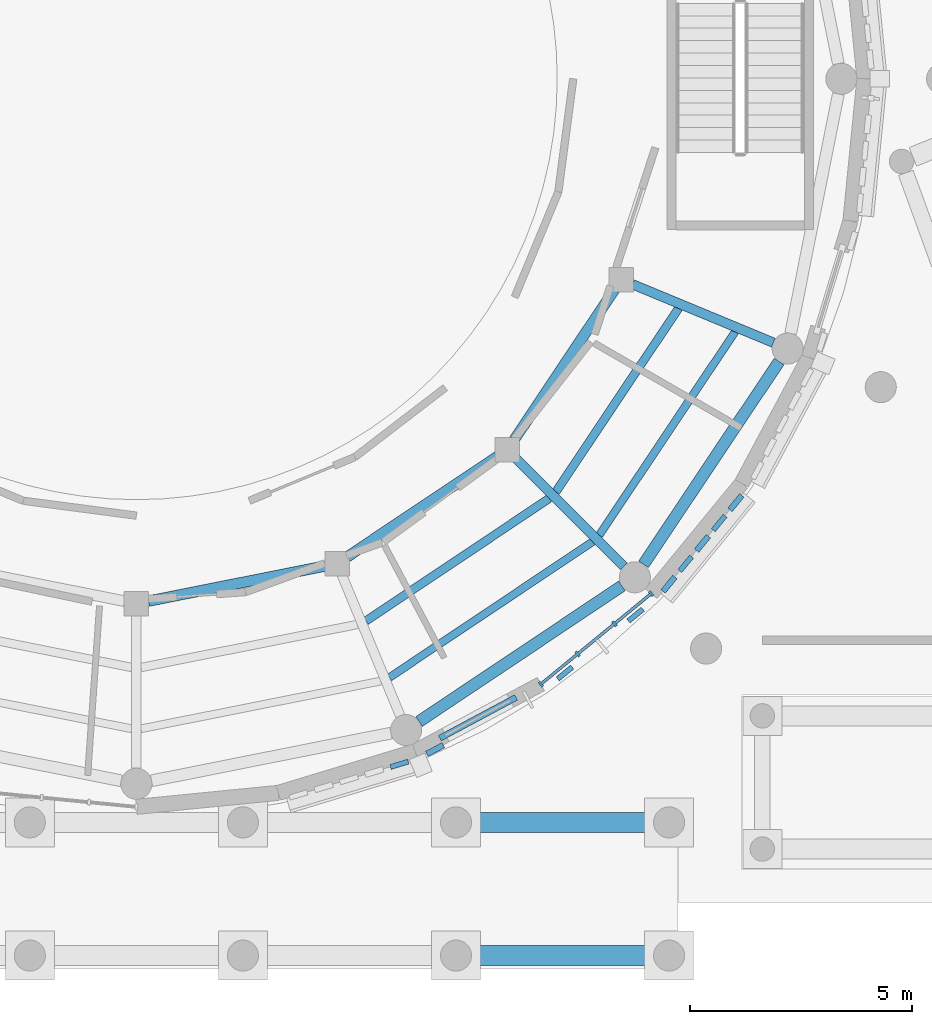
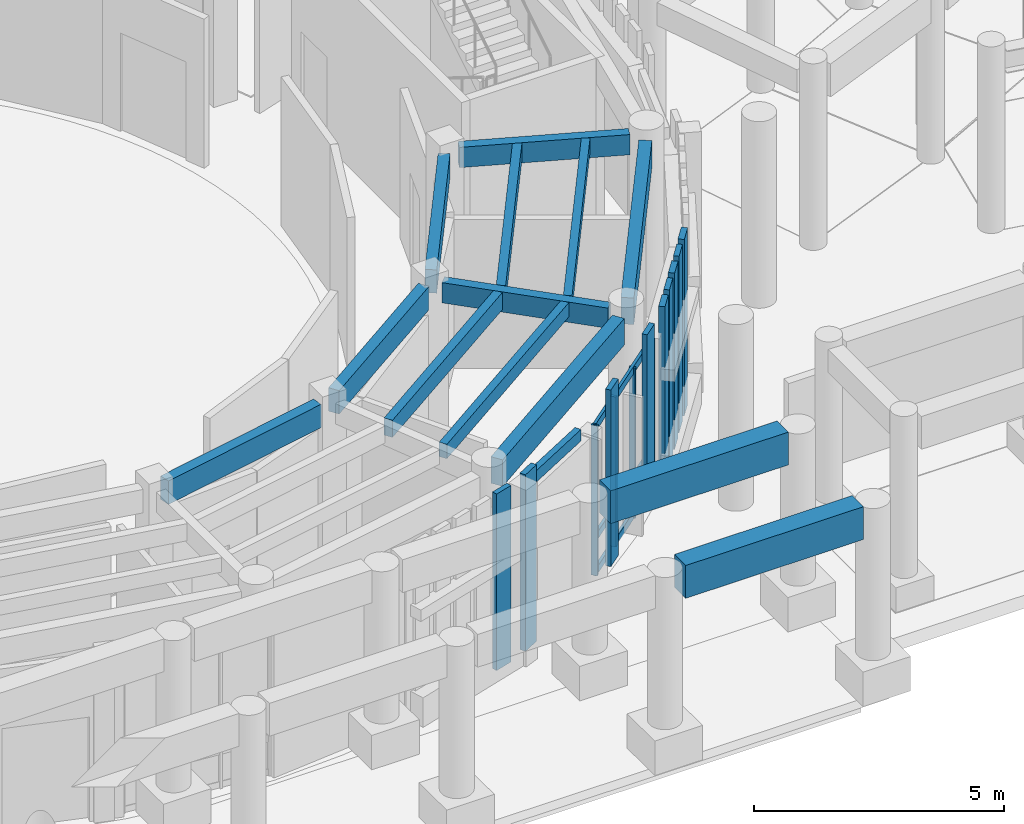
# One storey, part 14 of 94: 16 members, 14 beams, 1 element without a shape of its own.
"""IFC4 building model written with IfcOpenShell, lengths in metres."""

import ifcopenshell
import ifcopenshell.guid

model = None  # the IFC model being written
_history = None  # IfcOwnerHistory: only IFC2X3 demands one
_inside = {}  # id of a spatial element -> (the spatial element, [elements in it])
_under = {}  # id of a project, library or spatial element -> (it, [spatial elements below it])
_declared = {}  # id of a project -> (the project, [libraries it declares])
_typed = {}  # id of a type object -> (the type object, [elements of that type])
_made_of = {}  # id of a material, layer set ... -> (it, [elements and type objects made of it])


def new_model(schema):
    """Start an empty IFC model of exactly this schema.

    Asked for "IFC4X3", IfcOpenShell would pick the latest addendum, in which some entities
    have other attributes; the version numbers below select the first issue.
    IFC2X3 requires an IfcOwnerHistory on every rooted entity: one is made here for all.
    """
    global model, _history
    if schema == "IFC4X3":
        model = ifcopenshell.file(schema_version=(4, 3, 0, 0))
    else:
        model = ifcopenshell.file(schema=schema)
    _inside.clear()
    _under.clear()
    _declared.clear()
    _typed.clear()
    _made_of.clear()
    _history = None
    if model.schema == "IFC2X3":
        org = make("IfcOrganization", Name="unknown")
        user = make(
            "IfcPersonAndOrganization",
            ThePerson=make("IfcPerson", FamilyName="unknown"),
            TheOrganization=org,
        )
        app = make(
            "IfcApplication",
            ApplicationDeveloper=org,
            Version="unknown",
            ApplicationFullName="unknown",
            ApplicationIdentifier="unknown",
        )
        _history = make(
            "IfcOwnerHistory",
            OwningUser=user,
            OwningApplication=app,
            ChangeAction="ADDED",
            CreationDate=0,
        )
    return model


def make(cls, **values):
    """One entity of the class cls with the attributes given. An attribute that is None is left unset."""
    return model.create_entity(
        cls, **{name: value for name, value in values.items() if value is not None}
    )


def rooted(cls, **values):
    """An entity with a GlobalId (a new one), such as an element, a storey or a relation."""
    return make(cls, GlobalId=ifcopenshell.guid.new(), OwnerHistory=_history, **values)


def si_unit(unit_type, name, prefix=None):
    """IfcSIUnit, for example si_unit("LENGTHUNIT", "METRE", prefix="MILLI")."""
    return make("IfcSIUnit", UnitType=unit_type, Prefix=prefix, Name=name)


def assignment(units):
    """IfcUnitAssignment: the units of a project."""
    return None if units is None else make("IfcUnitAssignment", Units=units)


def point(xyz):
    """IfcCartesianPoint."""
    return None if xyz is None else make("IfcCartesianPoint", Coordinates=xyz)


def direction(xyz):
    """IfcDirection."""
    return None if xyz is None else make("IfcDirection", DirectionRatios=xyz)


def frame(location, z_axis=None, x_axis=None):
    """IfcAxis2Placement3D, a coordinate frame: its origin and axes. An axis left out is left unset."""
    return make(
        "IfcAxis2Placement3D",
        Location=point(location),
        Axis=direction(z_axis),
        RefDirection=direction(x_axis),
    )


def frame_2d(location, x_axis=None):
    """IfcAxis2Placement2D, a coordinate frame in the plane: its origin and x axis."""
    return make(
        "IfcAxis2Placement2D", Location=point(location), RefDirection=direction(x_axis)
    )


def origin():
    """The frame at (0, 0, 0) with its axes left unset."""
    return frame((0.0, 0.0, 0.0))


def origin_2d():
    """The frame at (0, 0) in the plane with its x axis left unset."""
    return frame_2d((0.0, 0.0))


def place(relative_to, where):
    """IfcLocalPlacement: puts the frame where relative to a parent placement (None: the world)."""
    return make(
        "IfcLocalPlacement", PlacementRelTo=relative_to, RelativePlacement=where
    )


def context(
    kind, dimensions, precision=None, world=None, true_north=None, identifier=None
):
    """IfcGeometricRepresentationContext, for example the 3D "Model" context."""
    return make(
        "IfcGeometricRepresentationContext",
        ContextIdentifier=identifier,
        ContextType=kind,
        CoordinateSpaceDimension=dimensions,
        Precision=precision,
        WorldCoordinateSystem=world,
        TrueNorth=true_north,
    )


def subcontext(parent, identifier, kind, view, scale=None):
    """IfcGeometricRepresentationSubContext, for example "Body" below "Model"."""
    return make(
        "IfcGeometricRepresentationSubContext",
        ContextIdentifier=identifier,
        ContextType=kind,
        ParentContext=parent,
        TargetScale=scale,
        TargetView=view,
    )


def project(units=None, contexts=None):
    """IfcProject with its units and contexts."""
    return rooted(
        "IfcProject",
        Name="project",
        RepresentationContexts=contexts,
        UnitsInContext=assignment(units),
    )


def spatial(cls, under=None, at=None, **own):
    """A site, building, storey or space (cls), placed at a placement, below another one or the project."""
    s = rooted(cls, ObjectPlacement=at, **own)
    if under is not None:
        _under.setdefault(under.id(), (under, []))[1].append(s)
    return s


def profile(cls, at=None, kind="AREA", **sizes):
    """A parametric profile (cls). Its sizes go by their IFC names, for example OverallWidth=200.0."""
    return make(cls, ProfileType=kind, Position=at, **sizes)


def rectangle(**sizes):
    """IfcRectangleProfileDef."""
    return profile("IfcRectangleProfileDef", **sizes)


def extrude(swept, where, along, depth):
    """IfcExtrudedAreaSolid: the profile swept, set in the frame where, extruded along a direction by depth."""
    return make(
        "IfcExtrudedAreaSolid",
        SweptArea=swept,
        Position=where,
        ExtrudedDirection=direction(along),
        Depth=depth,
    )


def shape(context_of_items, identifier, shape_type, items):
    """IfcShapeRepresentation: the items that make up one representation, for example the "Body"."""
    return make(
        "IfcShapeRepresentation",
        ContextOfItems=context_of_items,
        RepresentationIdentifier=identifier,
        RepresentationType=shape_type,
        Items=items,
    )


def material(Name=None, Category=None):
    """IfcMaterial."""
    return make("IfcMaterial", Name=Name, Category=Category)


def layer(
    of_material, thickness, ventilated=None, Name=None, Category=None, Priority=None
):
    """IfcMaterialLayer: one layer of a wall or slab, of a material (None: an air gap)."""
    return make(
        "IfcMaterialLayer",
        Material=of_material,
        LayerThickness=thickness,
        IsVentilated=ventilated,
        Name=Name,
        Category=Category,
        Priority=Priority,
    )


def layer_set(layers, Name=None):
    """IfcMaterialLayerSet."""
    return make("IfcMaterialLayerSet", MaterialLayers=layers, LayerSetName=Name)


def material_profile(
    of_material, cross_section, Name=None, Category=None, Priority=None
):
    """IfcMaterialProfile: a cross section and its material."""
    return make(
        "IfcMaterialProfile",
        Name=Name,
        Material=of_material,
        Profile=cross_section,
        Priority=Priority,
        Category=Category,
    )


def profile_set(profiles, Name=None, composite=None):
    """IfcMaterialProfileSet."""
    return make(
        "IfcMaterialProfileSet",
        Name=Name,
        MaterialProfiles=profiles,
        CompositeProfile=composite,
    )


def made_of(thing, what):
    """Note that an element or type object is made of a material, layer set ...; save() writes the relation."""
    if what is not None:
        _made_of.setdefault(what.id(), (what, []))[1].append(thing)
    return thing


def type_object(cls, material=None, **own):
    """A type object (cls), such as IfcWallType, which elements share."""
    return made_of(rooted(cls, **own), material)


def element(
    cls,
    number,
    at=None,
    inside=None,
    cuts=None,
    type_object=None,
    material=None,
    context=None,
    identifier="Body",
    shape_type=None,
    held_by="IfcProductDefinitionShape",
    body=None,
    shapes=None,
    **own,
):
    """One element of the class cls, such as IfcWall. Its Tag is "e" and its number.

    at: its placement. inside: the storey or other place that contains it. cuts: it is an
    opening in that element (IfcRelVoidsElement). A single representation is given by context,
    identifier, shape_type and body (its items); several are given by shapes. held_by: the class
    of the entity that holds the representations. save() writes the other relations.
    """
    e = rooted(cls, Tag="e%d" % number, ObjectPlacement=at, **own)
    if body is not None:
        shapes = [shape(context, identifier, shape_type, body)]
    if shapes is not None:
        e.Representation = make(held_by, Representations=shapes)
    if inside is not None:
        _inside.setdefault(inside.id(), (inside, []))[1].append(e)
    if cuts is not None:
        rooted(
            "IfcRelVoidsElement", RelatingBuildingElement=cuts, RelatedOpeningElement=e
        )
    if type_object is not None:
        _typed.setdefault(type_object.id(), (type_object, []))[1].append(e)
    return made_of(e, material)


def aggregate(whole, parts):
    """IfcRelAggregates: a whole, such as a stair, and the parts it consists of."""
    return rooted("IfcRelAggregates", RelatingObject=whole, RelatedObjects=parts)


def save(model, path):
    """Write the relations noted so far, then the file.

    IfcRelAggregates (storeys below a building ...), IfcRelContainedInSpatialStructure (elements
    in a storey), IfcRelDefinesByType, IfcRelAssociatesMaterial and IfcRelDeclares: one each for
    every whole, place, type object, material and project.
    """
    for whole, parts in _under.values():
        aggregate(whole, parts)
    for where, things in _inside.values():
        rooted(
            "IfcRelContainedInSpatialStructure",
            RelatedElements=things,
            RelatingStructure=where,
        )
    for kind, things in _typed.values():
        rooted("IfcRelDefinesByType", RelatedObjects=things, RelatingType=kind)
    for what, things in _made_of.values():
        rooted("IfcRelAssociatesMaterial", RelatedObjects=things, RelatingMaterial=what)
    for by, libraries in _declared.values():
        rooted("IfcRelDeclares", RelatingContext=by, RelatedDefinitions=libraries)
    model.write(path)


model = new_model("IFC4")

# Units and contexts
model_context = context("Model", 3, precision=1e-05, world=origin(), true_north=direction((0.0, 1.0)))
body_context = subcontext(model_context, "Body", "Model", "MODEL_VIEW")
ifc_project = project(units=[si_unit("LENGTHUNIT", "METRE"), si_unit("AREAUNIT", "SQUARE_METRE"), si_unit("VOLUMEUNIT", "CUBIC_METRE"), si_unit("PLANEANGLEUNIT", "RADIAN"), si_unit("MASSUNIT", "GRAM", prefix="KILO")], contexts=[model_context])

# Site, building, storey
site_placement = place(None, origin())
site = spatial("IfcSite", under=ifc_project, at=site_placement, CompositionType="ELEMENT")
building_placement = place(site_placement, origin())
building = spatial("IfcBuilding", under=site, at=building_placement, Name="Aldenvaro Health Centre", CompositionType="ELEMENT")
storey_placement = place(building_placement, origin())
storey = spatial("IfcBuildingStorey", under=building, at=storey_placement, Name="L00", CompositionType="ELEMENT", Elevation=0.0)

# Beams
ifc_material_1 = material(Name="Glulam GL28h", Category="wood")
ifc_material_profile_1 = material_profile(ifc_material_1, rectangle(XDim=0.139892578125, YDim=0.280029296875, at=origin_2d()), Name="GL 140x280", Category="wood")
ifc_profile_set_1 = profile_set([ifc_material_profile_1], Name="Glulam GL28h")
beam_type_1 = type_object("IfcBeamType", Name="BM-GL-280", PredefinedType="LINTEL", material=ifc_profile_set_1)
beam_1_placement = place(storey_placement, frame((95.553955078125, 6.06591796875, 3.799072265625), z_axis=(-0.881797958288, -0.471627353702, 0.0), x_axis=(0.471627353702, -0.881797958288, 0.0)))
element("IfcBeam", 1, at=beam_1_placement, inside=storey, type_object=beam_type_1, Name="Portal Lintel Beam 02", PredefinedType="LINTEL", context=body_context, shape_type="SweptSolid", body=[
    extrude(rectangle(XDim=0.139892578125, YDim=0.280029296875, at=origin_2d()), origin(), (0.0, 0.0, 1.0), 1.950439453125),
])
ifc_material_profile_2 = material_profile(ifc_material_1, rectangle(XDim=0.175048828125, YDim=0.35009765625, at=origin_2d()), Name="GL 175x350", Category="wood")
ifc_profile_set_2 = profile_set([ifc_material_profile_2], Name="Glulam GL28h")
beam_type_2 = type_object("IfcBeamType", Name="BM-GL-350", PredefinedType="JOIST", material=ifc_profile_set_2)
for number, where, z_axis, x_axis, name in (
    (2, (92.699951171875, 6.513916015625, 4.1298828125), (0.831463177052, 0.555579863932, 0.0), (-0.555579863932, 0.831463177052, 0.0), "D1 L00 secondary joist 12.2"),
    (3, (97.427001953125, 9.721923828125, 4.1298828125), (0.555579863932, 0.831463177052, 0.0), (-0.831463177052, 0.555579863932, 0.0), "D1 L00 secondary joist 13.2"),
):
    element("IfcBeam", number, at=place(storey_placement, frame(where, z_axis=z_axis, x_axis=x_axis)), inside=storey, type_object=beam_type_2, Name=name, PredefinedType="JOIST", context=body_context, shape_type="SweptSolid", body=[
        extrude(rectangle(XDim=0.175048828125, YDim=0.35009765625, at=origin_2d()), origin(), (0.0, 0.0, 1.0), 5.506103515625),
    ])
ifc_material_profile_3 = material_profile(ifc_material_1, rectangle(XDim=0.18994140625, YDim=0.41796875, at=origin_2d()), Name="GL 190x418", Category="wood")
ifc_profile_set_3 = profile_set([ifc_material_profile_3], Name="Glulam GL28h")
beam_type_3 = type_object("IfcBeamType", Name="BM-GL-418", PredefinedType="JOIST", material=ifc_profile_set_3)
for number, where, z_axis, x_axis, name in (
    (4, (92.172119140625, 7.7890625, 4.095947265625), (0.831422153502, 0.555641253567, 0.0), (-0.555641253567, 0.831422153502, 0.0), "D1 L00 secondary joist 12.1"),
    (5, (96.450927734375, 10.697998046875, 4.095947265625), (0.555641253567, 0.831422153502, 0.0), (-0.831422153502, 0.555641253567, 0.0), "D1 L00 secondary joist 13.1"),
):
    element("IfcBeam", number, at=place(storey_placement, frame(where, z_axis=z_axis, x_axis=x_axis)), inside=storey, type_object=beam_type_3, Name=name, PredefinedType="JOIST", context=body_context, shape_type="SweptSolid", body=[
        extrude(rectangle(XDim=0.18994140625, YDim=0.41796875, at=origin_2d()), origin(), (0.0, 0.0, 1.0), 4.96728515625),
    ])
ifc_material_profile_4 = material_profile(ifc_material_1, rectangle(XDim=0.215087890625, YDim=0.493896484375, at=origin_2d()), Name="GL 215x494", Category="wood")
ifc_profile_set_4 = profile_set([ifc_material_profile_4], Name="Glulam GL28h")
beam_type_4 = type_object("IfcBeamType", Name="BM-GL-494", PredefinedType="BEAM", material=ifc_profile_set_4)
beam_2_placement = place(storey_placement, frame((95.552001953125, 11.447998046875, 4.05810546875), z_axis=(0.707106781187, -0.707106781187, 0.0), x_axis=(0.707106781187, 0.707106781187, 0.0)))
element("IfcBeam", 6, at=beam_2_placement, inside=storey, type_object=beam_type_4, Name="D1 L00 radial beam 13", PredefinedType="BEAM", context=body_context, shape_type="SweptSolid", body=[
    extrude(rectangle(XDim=0.215087890625, YDim=0.493896484375, at=origin_2d()), origin(), (0.0, 0.0, 1.0), 3.4365234375),
])
beam_3_placement = place(storey_placement, frame((98.174072265625, 15.3720703125, 4.05810546875), z_axis=(0.923823653162, -0.382818309199, 0.0), x_axis=(0.382818309199, 0.923823653162, 0.0)))
element("IfcBeam", 7, at=beam_3_placement, inside=storey, type_object=beam_type_4, Name="D1 L00 radial beam 14", PredefinedType="BEAM", context=body_context, shape_type="SweptSolid", body=[
    extrude(rectangle(XDim=0.215087890625, YDim=0.493896484375, at=origin_2d()), origin(), (0.0, 0.0, 1.0), 3.435546875),
])
ifc_material_profile_5 = material_profile(ifc_material_1, rectangle(XDim=0.239990234375, YDim=0.570068359375, at=origin_2d()), Name="GL 240x570", Category="wood")
ifc_profile_set_5 = profile_set([ifc_material_profile_5], Name="Glulam GL28h")
beam_type_5 = type_object("IfcBeamType", Name="BM-GL-570", PredefinedType="BEAM", material=ifc_profile_set_5)
beam_4_placement = place(storey_placement, frame((87.27001953125, 8.23388671875, 4.02001953125), z_axis=(0.980797430313, 0.19502923035, 0.0), x_axis=(-0.19502923035, 0.980797430313, 0.0)))
element("IfcBeam", 8, at=beam_4_placement, inside=storey, type_object=beam_type_5, Name="D1 L00 inner ring beam 11", PredefinedType="BEAM", context=body_context, shape_type="SweptSolid", body=[
    extrude(rectangle(XDim=0.239990234375, YDim=0.570068359375, at=origin_2d()), origin(), (0.0, 0.0, 1.0), 4.060791015625),
])
for number, where, z_axis, x_axis, name in (
    (9, (91.751953125, 9.23291015625, 4.02001953125), (0.831504236767, 0.55551841035, 0.0), (-0.55551841035, 0.831504236767, 0.0), "D1 L00 inner ring beam 12"),
    (10, (95.510986328125, 11.87109375, 4.02001953125), (0.55551841035, 0.831504236767, 0.0), (-0.831504236767, 0.55551841035, 0.0), "D1 L00 inner ring beam 13"),
):
    element("IfcBeam", number, at=place(storey_placement, frame(where, z_axis=z_axis, x_axis=x_axis)), inside=storey, type_object=beam_type_5, Name=name, PredefinedType="BEAM", context=body_context, shape_type="SweptSolid", body=[
        extrude(rectangle(XDim=0.239990234375, YDim=0.570068359375, at=origin_2d()), origin(), (0.0, 0.0, 1.0), 4.061279296875),
    ])
ifc_material_profile_6 = material_profile(ifc_material_1, rectangle(XDim=0.264892578125, YDim=0.64599609375, at=origin_2d()), Name="GL 265x646", Category="wood")
ifc_profile_set_6 = profile_set([ifc_material_profile_6], Name="Glulam GL28h")
beam_type_6 = type_object("IfcBeamType", Name="BM-GL-646", PredefinedType="SPANDREL", material=ifc_profile_set_6)
for number, where, z_axis, x_axis, name in (
    (11, (93.367919921875, 5.52294921875, 3.98193359375), (0.831441623156, 0.555612119454, 0.0), (-0.555612119454, 0.831441623156, 0.0), "D1 L00 perimeter spandrel 14"),
    (12, (98.423095703125, 9.06201171875, 3.98193359375), (0.555612119454, 0.831441623156, 0.0), (-0.831441623156, 0.555612119454, 0.0), "D1 L00 perimeter spandrel 15"),
):
    element("IfcBeam", number, at=place(storey_placement, frame(where, z_axis=z_axis, x_axis=x_axis)), inside=storey, type_object=beam_type_6, Name=name, PredefinedType="SPANDREL", context=body_context, shape_type="SweptSolid", body=[
        extrude(rectangle(XDim=0.264892578125, YDim=0.64599609375, at=origin_2d()), origin(), (0.0, 0.0, 1.0), 5.49658203125),
    ])
ifc_material_2 = material(Name="Concrete f'c 40 MPa", Category="concrete")
ifc_material_profile_7 = material_profile(ifc_material_2, rectangle(XDim=0.449951171875, YDim=0.800048828125, at=origin_2d()), Name="RC 450x800", Category="concrete")
ifc_profile_set_7 = profile_set([ifc_material_profile_7], Name="Concrete f'c 40 MPa")
beam_type_7 = type_object("IfcBeamType", Name="BM-RC-800", PredefinedType="SPANDREL", material=ifc_profile_set_7)
for number, where, z_axis, x_axis, name in (
    (13, (94.550048828125, 0.25, 4.2099609375), (1.0, 0.0, 0.0), (0.0, 1.0, 0.0), "Neoclassical Portico Lower Architrave 5.1"),
    (14, (94.550048828125, 3.25, 4.2099609375), (1.0, 0.0, 0.0), (0.0, 1.0, 0.0), "Neoclassical Portico Lower Architrave 5.2"),
):
    element("IfcBeam", number, at=place(storey_placement, frame(where, z_axis=z_axis, x_axis=x_axis)), inside=storey, type_object=beam_type_7, Name=name, PredefinedType="SPANDREL", context=body_context, shape_type="SweptSolid", body=[
        extrude(rectangle(XDim=0.449951171875, YDim=0.800048828125, at=origin_2d()), origin(), (0.0, 0.0, 1.0), 4.099853515625),
    ])

# Curtain wall, members
ifc_material_3 = material(Name="Anodised Aluminium 6063-T6", Category="aluminium")
ifc_layer = layer(ifc_material_3, 0.179931640625, Name="Anodised Aluminium 6063-T6", Category="aluminium")
ifc_layer_set = layer_set([ifc_layer], Name="Anodised Aluminium 6063-T6")
curtain_wall_type = type_object("IfcCurtainWallType", Name="CW-ROT-01", PredefinedType="NOTDEFINED", material=ifc_layer_set)
curtain_wall_placement = place(storey_placement, origin())
curtain_wall = element("IfcCurtainWall", 15, at=curtain_wall_placement, inside=storey, type_object=curtain_wall_type, Name="D1 L00 curtain wall bay 05", PredefinedType="NOTDEFINED")
ifc_material_profile_8 = material_profile(ifc_material_3, rectangle(XDim=0.06005859375, YDim=0.135009765625, at=origin_2d()), Name="ALU 60x135", Category="aluminium")
ifc_profile_set_8 = profile_set([ifc_material_profile_8], Name="Anodised Aluminium 6063-T6")
member_type_1 = type_object("IfcMemberType", Name="CWM-150", PredefinedType="MULLION", material=ifc_profile_set_8)
member_1_placement = place(storey_placement, frame((98.596923828125, 8.403076171875, 0.0), z_axis=(0.0, 0.0, 1.0), x_axis=(-0.773194586776, -0.634168850528, 0.0)))
member_1 = element("IfcMember", 16, at=member_1_placement, type_object=member_type_1, Name="D1 L00 curtain wall bay 05 mullion 1", PredefinedType="MULLION", context=body_context, shape_type="SweptSolid", body=[
    extrude(rectangle(XDim=0.06005859375, YDim=0.135009765625, at=origin_2d()), origin(), (0.0, 0.0, 1.0), 3.658935546875),
])
member_2_placement = place(storey_placement, frame((97.76806640625, 7.722900390625, 0.0), z_axis=(0.0, 0.0, 1.0), x_axis=(-0.773194586776, -0.634168850528, 0.0)))
member_2 = element("IfcMember", 17, at=member_2_placement, type_object=member_type_1, Name="D1 L00 curtain wall bay 05 mullion 2", PredefinedType="MULLION", context=body_context, shape_type="SweptSolid", body=[
    extrude(rectangle(XDim=0.06005859375, YDim=0.135009765625, at=origin_2d()), origin(), (0.0, 0.0, 1.0), 3.658935546875),
])
member_3_placement = place(storey_placement, frame((96.93994140625, 7.0439453125, 0.0), z_axis=(0.0, 0.0, 1.0), x_axis=(-0.773194586776, -0.634168850528, 0.0)))
member_3 = element("IfcMember", 18, at=member_3_placement, type_object=member_type_1, Name="D1 L00 curtain wall bay 05 mullion 3", PredefinedType="MULLION", context=body_context, shape_type="SweptSolid", body=[
    extrude(rectangle(XDim=0.06005859375, YDim=0.135009765625, at=origin_2d()), origin(), (0.0, 0.0, 1.0), 3.658935546875),
])
member_4_placement = place(storey_placement, frame((96.111083984375, 6.364013671875, 0.0), z_axis=(0.0, 0.0, 1.0), x_axis=(-0.773194586776, -0.634168850528, 0.0)))
member_4 = element("IfcMember", 19, at=member_4_placement, type_object=member_type_1, Name="D1 L00 curtain wall bay 05 mullion 4", PredefinedType="MULLION", context=body_context, shape_type="SweptSolid", body=[
    extrude(rectangle(XDim=0.06005859375, YDim=0.135009765625, at=origin_2d()), origin(), (0.0, 0.0, 1.0), 3.658935546875),
])
ifc_material_profile_9 = material_profile(ifc_material_3, rectangle(XDim=0.06494140625, YDim=0.179931640625, at=origin_2d()), Name="ALU 65x180", Category="aluminium")
ifc_profile_set_9 = profile_set([ifc_material_profile_9], Name="Anodised Aluminium 6063-T6")
member_type_2 = type_object("IfcMemberType", Name="CWT-150", PredefinedType="USERDEFINED", material=ifc_profile_set_9)
member_5_placement = place(storey_placement, frame((98.596923828125, 8.403076171875, 0.06005859375), z_axis=(-0.773165020866, -0.634204896314, 0.0), x_axis=(0.634204896314, -0.773165020866, 0.0)))
member_5 = element("IfcMember", 20, at=member_5_placement, type_object=member_type_2, Name="D1 L00 curtain wall bay 05 transom 1", ObjectType="TRANSOM", PredefinedType="USERDEFINED", context=body_context, shape_type="SweptSolid", body=[
    extrude(rectangle(XDim=0.06494140625, YDim=0.179931640625, at=origin_2d()), origin(), (0.0, 0.0, 1.0), 3.215087890625),
])
member_6_placement = place(storey_placement, frame((98.596923828125, 8.403076171875, 0.89990234375), z_axis=(-0.773165020866, -0.634204896314, 0.0), x_axis=(0.634204896314, -0.773165020866, 0.0)))
member_6 = element("IfcMember", 21, at=member_6_placement, type_object=member_type_2, Name="D1 L00 curtain wall bay 05 transom 2", ObjectType="TRANSOM", PredefinedType="USERDEFINED", context=body_context, shape_type="SweptSolid", body=[
    extrude(rectangle(XDim=0.06494140625, YDim=0.179931640625, at=origin_2d()), origin(), (0.0, 0.0, 1.0), 3.215087890625),
])
member_7_placement = place(storey_placement, frame((98.596923828125, 8.403076171875, 3.59912109375), z_axis=(-0.773165020866, -0.634204896314, 0.0), x_axis=(0.634204896314, -0.773165020866, 0.0)))
member_7 = element("IfcMember", 22, at=member_7_placement, type_object=member_type_2, Name="D1 L00 curtain wall bay 05 transom 3", ObjectType="TRANSOM", PredefinedType="USERDEFINED", context=body_context, shape_type="SweptSolid", body=[
    extrude(rectangle(XDim=0.06494140625, YDim=0.179931640625, at=origin_2d()), origin(), (0.0, 0.0, 1.0), 3.215087890625),
])
aggregate(curtain_wall, [member_1, member_2, member_3, member_4, member_5, member_6, member_7])

# Members
ifc_material_profile_10 = material_profile(ifc_material_1, rectangle(XDim=0.114990234375, YDim=0.419921875, at=origin_2d()), Name="GL 115x420", Category="wood")
ifc_profile_set_10 = profile_set([ifc_material_profile_10], Name="Glulam GL28h")
member_type_3 = type_object("IfcMemberType", Name="MEM-SLT-420A", PredefinedType="POST", material=ifc_profile_set_10)
for number, where, z_axis, x_axis, name in (
    (23, (100.1279296875, 9.993896484375, 0.0), (0.0, 0.0, 1.0), (0.773194586776, -0.634168850528, 0.0), "D1 L00 vertical timber slat 4.2"),
    (24, (99.375, 9.075927734375, 0.0), (0.0, 0.0, 1.0), (0.773194586776, -0.634168850528, 0.0), "D1 L00 vertical timber slat 4.4"),
    (25, (98.2451171875, 7.919921875, 0.0), (0.0, 0.0, 1.0), (0.634168850528, -0.773194586776, 0.0), "D1 L00 curtain mullion timber slat 5"),
    (26, (96.654052734375, 6.614990234375, 0.0), (0.0, 0.0, 1.0), (0.634168850528, -0.773194586776, 0.0), "D1 L00 curtain mullion timber slat 5"),
    (27, (92.925048828125, 4.55908203125, 0.0), (0.0, 0.0, 1.0), (0.290171396605, -0.95697469172, 0.0), "D1 L00 vertical timber slat 7.1"),
):
    element("IfcMember", number, at=place(storey_placement, frame(where, z_axis=z_axis, x_axis=x_axis)), inside=storey, type_object=member_type_3, Name=name, PredefinedType="POST", context=body_context, shape_type="SweptSolid", body=[
        extrude(rectangle(XDim=0.114990234375, YDim=0.419921875, at=origin_2d()), origin(), (0.0, 0.0, 1.0), 4.304931640625),
    ])
ifc_material_profile_11 = material_profile(ifc_material_1, rectangle(XDim=0.1298828125, YDim=0.419921875, at=origin_2d()), Name="GL 130x420", Category="wood")
ifc_profile_set_11 = profile_set([ifc_material_profile_11], Name="Glulam GL28h")
member_type_4 = type_object("IfcMemberType", Name="MEM-SLT-420B", PredefinedType="POST", material=ifc_profile_set_11)
for number, where, z_axis, x_axis, name in (
    (28, (100.5048828125, 10.452880859375, 0.0), (0.0, 0.0, 1.0), (0.773194586776, -0.634168850528, 0.0), "D1 L00 vertical timber slat 4.1"),
    (29, (99.751953125, 9.534912109375, 0.0), (0.0, 0.0, 1.0), (0.773194586776, -0.634168850528, 0.0), "D1 L00 vertical timber slat 4.3"),
    (30, (98.9990234375, 8.616943359375, 0.0), (0.0, 0.0, 1.0), (0.773194586776, -0.634168850528, 0.0), "D1 L00 vertical timber slat 4.5"),
    (31, (93.72900390625, 4.89208984375, 0.0), (0.0, 0.0, 1.0), (0.471556629455, -0.88183578132, 0.0), "D1 L00 vertical timber slat 6.5"),
):
    element("IfcMember", number, at=place(storey_placement, frame(where, z_axis=z_axis, x_axis=x_axis)), inside=storey, type_object=member_type_4, Name=name, PredefinedType="POST", context=body_context, shape_type="SweptSolid", body=[
        extrude(rectangle(XDim=0.1298828125, YDim=0.419921875, at=origin_2d()), origin(), (0.0, 0.0, 1.0), 4.304931640625),
    ])

save(model, "model.ifc")
